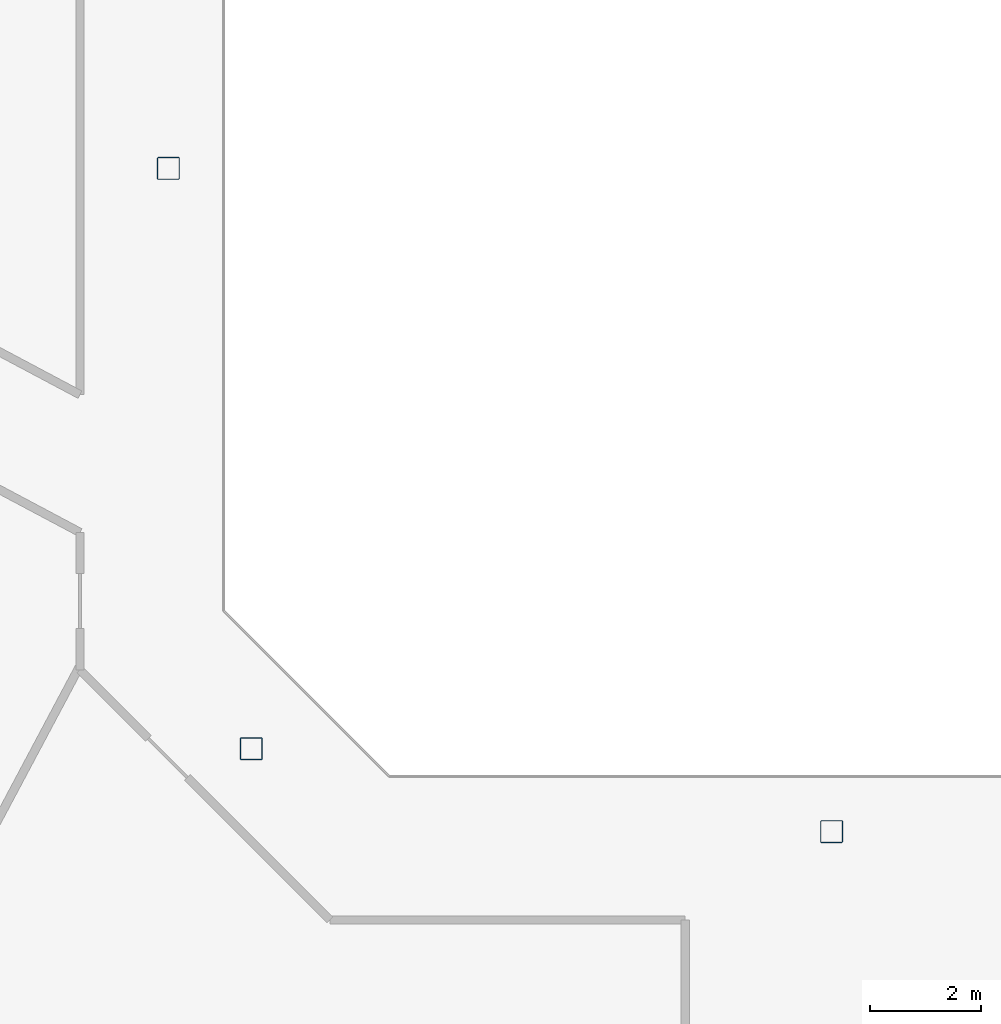
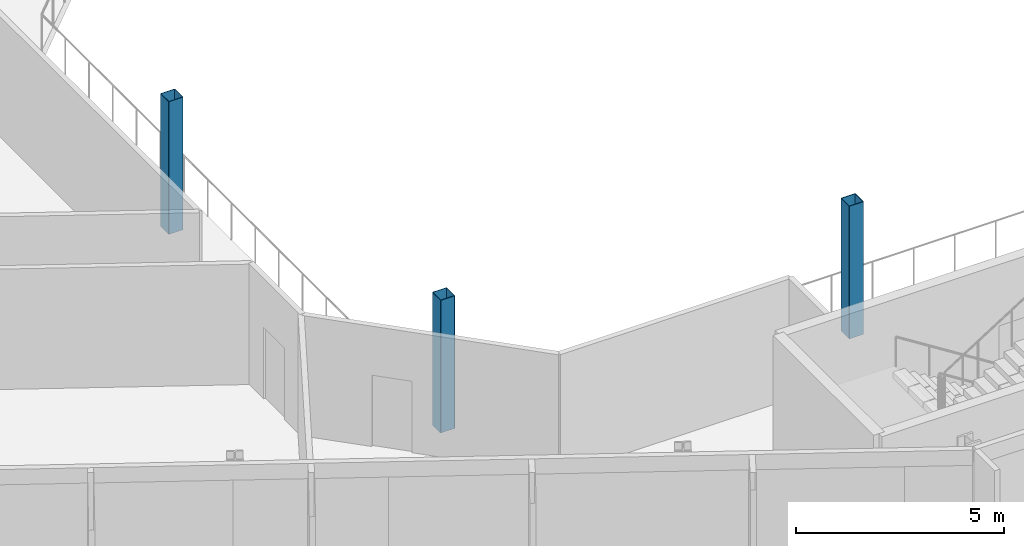
# One storey, part 2 of 27: 3 columns.
"""IFC4 building model written with IfcOpenShell, lengths in metres."""

from ifc_helpers import new_model, si_unit, direction, frame, origin, origin_2d, place, context, subcontext, project, spatial, hollow_rectangle, extrude, material, material_profile, profile_set, type_object, element, save


model = new_model("IFC4")

# Units and contexts
model_context = context("Model", 3, precision=1e-05, world=origin(), true_north=direction((0.0, 1.0)))
body_context = subcontext(model_context, "Body", "Model", "MODEL_VIEW")
ifc_project = project(units=[si_unit("LENGTHUNIT", "METRE"), si_unit("AREAUNIT", "SQUARE_METRE"), si_unit("VOLUMEUNIT", "CUBIC_METRE"), si_unit("PLANEANGLEUNIT", "RADIAN"), si_unit("MASSUNIT", "GRAM", prefix="KILO")], contexts=[model_context])

# Site, building, storey
site_placement = place(None, origin())
site = spatial("IfcSite", under=ifc_project, at=site_placement, CompositionType="ELEMENT")
building_placement = place(site_placement, origin())
building = spatial("IfcBuilding", under=site, at=building_placement, Name="Cormorant Relay Tower", CompositionType="ELEMENT")
storey_placement = place(building_placement, frame((0.0, 0.0, 224.699951171875)))
storey = spatial("IfcBuildingStorey", under=building, at=storey_placement, Name="L49", CompositionType="ELEMENT", Elevation=224.699951171875)

# Columns
ifc_material = material(Name="Steel ASTM A500 Grade C (Fy 345 MPa)", Category="steel")
ifc_material_profile = material_profile(ifc_material, hollow_rectangle(XDim=0.406494140625, YDim=0.406494140625, WallThickness=0.0146484375, InnerFilletRadius=0.00732421875, OuterFilletRadius=0.022216796875, at=origin_2d()), Name="HSS406x406x15")
ifc_profile_set = profile_set([ifc_material_profile], Name="Steel ASTM A500 Grade C (Fy 345 MPa)")
column_type = type_object("IfcColumnType", Name="Column HSS406x406x15", PredefinedType="COLUMN", material=ifc_profile_set)
for number, where, z_axis, x_axis, name in (
    (1, (0.0, -12.0, 0.0), (0.0, 0.0, 1.0), (1.0, 0.0, 0.0), "Column L49-007"),
    (2, (-10.5, -10.5, 0.0), (0.0, 0.0, 1.0), (1.0, 0.0, 0.0), "Column L49-009"),
    (3, (-12.0, 0.0, 0.0), (0.0, 0.0, 1.0), (1.0, 0.0, 0.0), "Column L49-015"),
):
    element("IfcColumn", number, at=place(storey_placement, frame(where, z_axis=z_axis, x_axis=x_axis)), inside=storey, type_object=column_type, Name=name, PredefinedType="COLUMN", context=body_context, shape_type="SweptSolid", body=[
        extrude(hollow_rectangle(XDim=0.406494140625, YDim=0.406494140625, WallThickness=0.0146484375, InnerFilletRadius=0.00732421875, OuterFilletRadius=0.022216796875, at=origin_2d()), origin(), (0.0, 0.0, 1.0), 3.900146484375),
    ])

save(model, "model.ifc")
